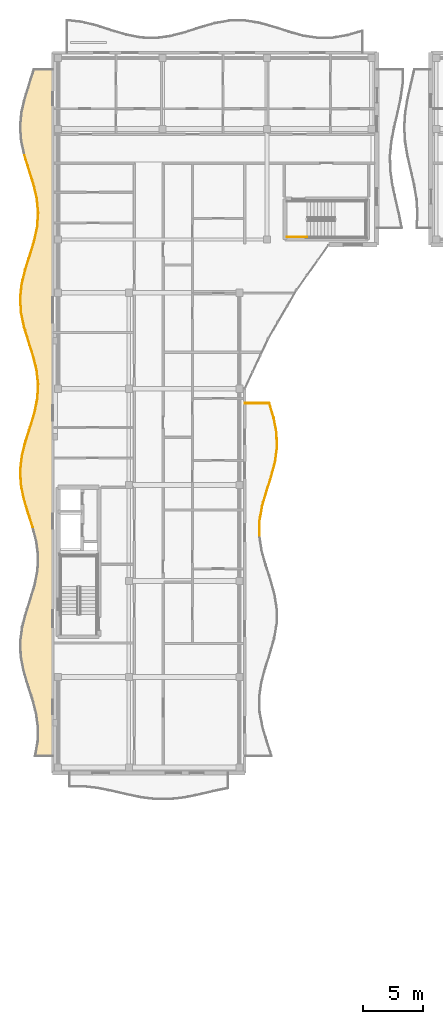
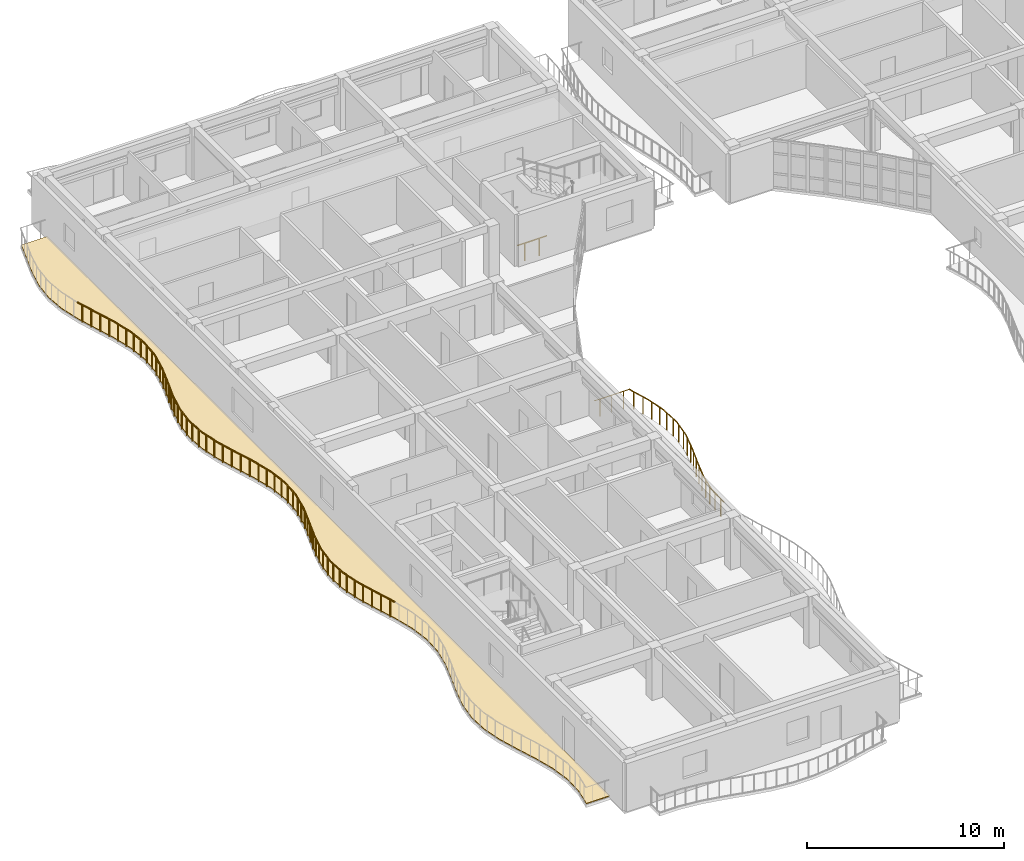
# One storey, part 63 of 79: 37 railings, 1 covering.
"""IFC4 building model written with IfcOpenShell, lengths in metres."""

from ifc_helpers import new_model, si_unit, direction, frame, origin, origin_2d, place, context, subcontext, project, spatial, polyline, circle, outline, extrude, material, layer, layer_set, type_object, element, save


model = new_model("IFC4")

# Units and contexts
model_context = context("Model", 3, precision=1e-05, world=origin(), true_north=direction((0.0, 1.0)))
body_context = subcontext(model_context, "Body", "Model", "MODEL_VIEW")
ifc_project = project(units=[si_unit("LENGTHUNIT", "METRE"), si_unit("AREAUNIT", "SQUARE_METRE"), si_unit("VOLUMEUNIT", "CUBIC_METRE"), si_unit("PLANEANGLEUNIT", "RADIAN"), si_unit("MASSUNIT", "GRAM", prefix="KILO")], contexts=[model_context])

# Site, building, storey
site_placement = place(None, origin())
site = spatial("IfcSite", under=ifc_project, at=site_placement, CompositionType="ELEMENT")
building_placement = place(site_placement, origin())
building = spatial("IfcBuilding", under=site, at=building_placement, Name="Keldmere Railside Commons", CompositionType="ELEMENT")
storey_placement = place(building_placement, frame((0.0, 0.0, 10.56005859375)))
storey = spatial("IfcBuildingStorey", under=building, at=storey_placement, Name="L03", CompositionType="ELEMENT", Elevation=10.56005859375)

# Railings
ifc_material_1 = material(Name="Steel F-24 (S235)", Category="steel")
railing_type_1 = type_object("IfcRailingType", Name="Balcony & Terrace Steel Balustrade 1100", PredefinedType="BALUSTRADE", material=ifc_material_1)
railing_1_placement = place(storey_placement, frame((25.219482421875, 75.77490234375, 0.0)))
element("IfcRailing", 1, at=railing_1_placement, inside=storey, type_object=railing_type_1, Name="GR-1 GRD-L03-0293", PredefinedType="BALUSTRADE", context=body_context, shape_type="SweptSolid", body=[
    extrude(circle(Radius=0.02392578125, at=origin_2d()), frame((0.0, 0.0, 1.076171875), z_axis=(0.012753048087, 0.999918676575, 0.0), x_axis=(-0.999918676575, 0.012753048087, 0.0)), (0.0, 0.0, 1.0), 1.22509765625),
    extrude(circle(Radius=0.02099609375, at=origin_2d()), frame((0.00390625, 0.30615234375, 0.0)), (0.0, 0.0, 1.0), 1.048095703125),
    extrude(circle(Radius=0.02099609375, at=origin_2d()), frame((0.01171875, 0.9189453125, 0.0)), (0.0, 0.0, 1.0), 1.048095703125),
])
railing_2_placement = place(storey_placement, frame((25.235107421875, 77.0, 0.0)))
element("IfcRailing", 2, at=railing_2_placement, inside=storey, type_object=railing_type_1, Name="GR-1 GRD-L03-0294", PredefinedType="BALUSTRADE", context=body_context, shape_type="SweptSolid", body=[
    extrude(circle(Radius=0.02392578125, at=origin_2d()), frame((0.0, 0.0, 1.076171875), z_axis=(0.172732661453, 0.984968744513, 0.0), x_axis=(-0.984968744513, 0.172732661453, 0.0)), (0.0, 0.0, 1.0), 1.243896484375),
    extrude(circle(Radius=0.02099609375, at=origin_2d()), frame((0.0537109375, 0.30615234375, 0.0)), (0.0, 0.0, 1.0), 1.048095703125),
    extrude(circle(Radius=0.02099609375, at=origin_2d()), frame((0.1611328125, 0.9189453125, 0.0)), (0.0, 0.0, 1.0), 1.048095703125),
])
railing_3_placement = place(storey_placement, frame((25.449951171875, 78.22509765625, 0.0)))
element("IfcRailing", 3, at=railing_3_placement, inside=storey, type_object=railing_type_1, Name="GR-1 GRD-L03-0295", PredefinedType="BALUSTRADE", context=body_context, shape_type="SweptSolid", body=[
    extrude(circle(Radius=0.02392578125, at=origin_2d()), frame((0.0, 0.0, 1.076171875), z_axis=(0.278006937297, 0.960579066405, 0.0), x_axis=(-0.960579066405, 0.278006937297, 0.0)), (0.0, 0.0, 1.0), 1.275146484375),
    extrude(circle(Radius=0.02099609375, at=origin_2d()), frame((0.088623046875, 0.30615234375, 0.0)), (0.0, 0.0, 1.0), 1.048095703125),
    extrude(circle(Radius=0.02099609375, at=origin_2d()), frame((0.265869140625, 0.918701171875, 0.0)), (0.0, 0.0, 1.0), 1.048095703125),
])
railing_4_placement = place(storey_placement, frame((25.804443359375, 79.449951171875, 0.0)))
element("IfcRailing", 4, at=railing_4_placement, inside=storey, type_object=railing_type_1, Name="GR-1 GRD-L03-0296", PredefinedType="BALUSTRADE", context=body_context, shape_type="SweptSolid", body=[
    extrude(circle(Radius=0.02392578125, at=origin_2d()), frame((0.0, 0.0, 1.076171875), z_axis=(0.307052651276, 0.951692528785, 0.0), x_axis=(-0.951692528785, 0.307052651276, 0.0)), (0.0, 0.0, 1.0), 1.287353515625),
    extrude(circle(Radius=0.02099609375, at=origin_2d()), frame((0.098876953125, 0.30615234375, 0.0)), (0.0, 0.0, 1.0), 1.048095703125),
    extrude(circle(Radius=0.02099609375, at=origin_2d()), frame((0.29638671875, 0.9189453125, 0.0)), (0.0, 0.0, 1.0), 1.048095703125),
])
railing_5_placement = place(storey_placement, frame((26.19970703125, 80.675048828125, 0.0)))
element("IfcRailing", 5, at=railing_5_placement, inside=storey, type_object=railing_type_1, Name="GR-1 GRD-L03-0297", PredefinedType="BALUSTRADE", context=body_context, shape_type="SweptSolid", body=[
    extrude(circle(Radius=0.02392578125, at=origin_2d()), frame((0.0, 0.0, 1.076171875), z_axis=(0.256787278094, 0.966467947637, 0.0), x_axis=(-0.966467947637, 0.256787278094, 0.0)), (0.0, 0.0, 1.0), 1.267333984375),
    extrude(circle(Radius=0.02099609375, at=origin_2d()), frame((0.081298828125, 0.30615234375, 0.0)), (0.0, 0.0, 1.0), 1.048095703125),
    extrude(circle(Radius=0.02099609375, at=origin_2d()), frame((0.244140625, 0.918701171875, 0.0)), (0.0, 0.0, 1.0), 1.048095703125),
])
railing_6_placement = place(storey_placement, frame((26.525146484375, 81.89990234375, 0.0)))
element("IfcRailing", 6, at=railing_6_placement, inside=storey, type_object=railing_type_1, Name="GR-1 GRD-L03-0298", PredefinedType="BALUSTRADE", context=body_context, shape_type="SweptSolid", body=[
    extrude(circle(Radius=0.02392578125, at=origin_2d()), frame((0.0, 0.0, 1.076171875), z_axis=(0.13350900315, 0.991047600309, 0.0), x_axis=(-0.991047600309, 0.13350900315, 0.0)), (0.0, 0.0, 1.0), 1.236083984375),
    extrude(circle(Radius=0.02099609375, at=origin_2d()), frame((0.041259765625, 0.30615234375, 0.0)), (0.0, 0.0, 1.0), 1.048095703125),
    extrude(circle(Radius=0.02099609375, at=origin_2d()), frame((0.123779296875, 0.9189453125, 0.0)), (0.0, 0.0, 1.0), 1.048095703125),
])
railing_7_placement = place(storey_placement, frame((26.690185546875, 83.125, 0.0)))
element("IfcRailing", 7, at=railing_7_placement, inside=storey, type_object=railing_type_1, Name="GR-1 GRD-L03-0299", PredefinedType="BALUSTRADE", context=body_context, shape_type="SweptSolid", body=[
    extrude(circle(Radius=0.02392578125, at=origin_2d()), frame((0.0, 0.0, 1.076171875), z_axis=(-0.033858614501, 0.999426632737, 0.0), x_axis=(-0.999426632737, -0.033858614501, 0.0)), (0.0, 0.0, 1.0), 1.225830078125),
    extrude(circle(Radius=0.02099609375, at=origin_2d()), frame((-0.01025390625, 0.30615234375, 0.0)), (0.0, 0.0, 1.0), 1.048095703125),
    extrude(circle(Radius=0.02099609375, at=origin_2d()), frame((-0.03125, 0.9189453125, 0.0)), (0.0, 0.0, 1.0), 1.048095703125),
])
railing_8_placement = place(storey_placement, frame((26.648681640625, 84.35009765625, 0.0)))
element("IfcRailing", 8, at=railing_8_placement, inside=storey, type_object=railing_type_1, Name="GR-1 GRD-L03-0300", PredefinedType="BALUSTRADE", context=body_context, shape_type="SweptSolid", body=[
    extrude(circle(Radius=0.02392578125, at=origin_2d()), frame((0.0, 0.0, 1.076171875), z_axis=(-0.189449851563, 0.98189039803, 0.0), x_axis=(-0.98189039803, -0.189449851563, 0.0)), (0.0, 0.0, 1.0), 1.24755859375),
    extrude(circle(Radius=0.02099609375, at=origin_2d()), frame((-0.05908203125, 0.30615234375, 0.0)), (0.0, 0.0, 1.0), 1.048095703125),
    extrude(circle(Radius=0.02099609375, at=origin_2d()), frame((-0.17724609375, 0.918701171875, 0.0)), (0.0, 0.0, 1.0), 1.048095703125),
])
railing_9_placement = place(storey_placement, frame((26.412353515625, 85.574951171875, 0.0)))
element("IfcRailing", 9, at=railing_9_placement, inside=storey, type_object=railing_type_1, Name="GR-1 GRD-L03-0301", PredefinedType="BALUSTRADE", context=body_context, shape_type="SweptSolid", body=[
    extrude(circle(Radius=0.02392578125, at=origin_2d()), frame((0.0, 0.0, 1.076171875), z_axis=(-0.28570050941, 0.958318954692, 0.0), x_axis=(-0.958318954692, -0.28570050941, 0.0)), (0.0, 0.0, 1.0), 1.2783203125),
    extrude(circle(Radius=0.02099609375, at=origin_2d()), frame((-0.09130859375, 0.30615234375, 0.0)), (0.0, 0.0, 1.0), 1.048095703125),
    extrude(circle(Radius=0.02099609375, at=origin_2d()), frame((-0.27392578125, 0.9189453125, 0.0)), (0.0, 0.0, 1.0), 1.048095703125),
])
railing_10_placement = place(storey_placement, frame((26.047119140625, 86.800048828125, 0.0)))
element("IfcRailing", 10, at=railing_10_placement, inside=storey, type_object=railing_type_1, Name="GR-1 GRD-L03-0302", PredefinedType="BALUSTRADE", context=body_context, shape_type="SweptSolid", body=[
    extrude(circle(Radius=0.02392578125, at=origin_2d()), frame((0.0, 0.0, 1.076171875), z_axis=(-1.0, 0.0, 0.0), x_axis=(0.0, -1.0, 0.0)), (0.0, 0.0, 1.0), 2.047119140625),
    extrude(circle(Radius=0.02099609375, at=origin_2d()), frame((-0.34130859375, 0.0, 0.0)), (0.0, 0.0, 1.0), 1.048095703125),
    extrude(circle(Radius=0.02099609375, at=origin_2d()), frame((-1.0234375, 0.0, 0.0)), (0.0, 0.0, 1.0), 1.048095703125),
    extrude(circle(Radius=0.02099609375, at=origin_2d()), frame((-1.7060546875, 0.0, 0.0)), (0.0, 0.0, 1.0), 1.048095703125),
])
railing_11_placement = place(storey_placement, frame((6.340087890625, 76.466796875, 0.0)))
element("IfcRailing", 11, at=railing_11_placement, inside=storey, type_object=railing_type_1, Name="GR-1 GRD-L03-0320", PredefinedType="BALUSTRADE", context=body_context, shape_type="SweptSolid", body=[
    extrude(circle(Radius=0.02392578125, at=origin_2d()), frame((0.0, 0.0, 1.076171875), z_axis=(-0.305377480387, 0.952231376543, 0.0), x_axis=(-0.952231376543, -0.305377480387, 0.0)), (0.0, 0.0, 1.0), 1.251220703125),
    extrude(circle(Radius=0.02099609375, at=origin_2d()), frame((-0.095458984375, 0.2978515625, 0.0)), (0.0, 0.0, 1.0), 1.048095703125),
    extrude(circle(Radius=0.02099609375, at=origin_2d()), frame((-0.28662109375, 0.8935546875, 0.0)), (0.0, 0.0, 1.0), 1.048095703125),
])
railing_12_placement = place(storey_placement, frame((5.9580078125, 77.658203125, 0.0)))
element("IfcRailing", 12, at=railing_12_placement, inside=storey, type_object=railing_type_1, Name="GR-1 GRD-L03-0321", PredefinedType="BALUSTRADE", context=body_context, shape_type="SweptSolid", body=[
    extrude(circle(Radius=0.02392578125, at=origin_2d()), frame((0.0, 0.0, 1.076171875), z_axis=(-0.287419881468, 0.957804683501, 0.0), x_axis=(-0.957804683501, -0.287419881468, 0.0)), (0.0, 0.0, 1.0), 1.244384765625),
    extrude(circle(Radius=0.02099609375, at=origin_2d()), frame((-0.08935546875, 0.2978515625, 0.0)), (0.0, 0.0, 1.0), 1.048095703125),
    extrude(circle(Radius=0.02099609375, at=origin_2d()), frame((-0.268310546875, 0.89404296875, 0.0)), (0.0, 0.0, 1.0), 1.048095703125),
])
railing_13_placement = place(storey_placement, frame((5.600341796875, 78.85009765625, 0.0)))
element("IfcRailing", 13, at=railing_13_placement, inside=storey, type_object=railing_type_1, Name="GR-1 GRD-L03-0322", PredefinedType="BALUSTRADE", context=body_context, shape_type="SweptSolid", body=[
    extrude(circle(Radius=0.02392578125, at=origin_2d()), frame((0.0, 0.0, 1.076171875), z_axis=(-0.196463805335, 0.980511077547, 0.0), x_axis=(-0.980511077547, -0.196463805335, 0.0)), (0.0, 0.0, 1.0), 1.21533203125),
    extrude(circle(Radius=0.02099609375, at=origin_2d()), frame((-0.0595703125, 0.2978515625, 0.0)), (0.0, 0.0, 1.0), 1.048095703125),
    extrude(circle(Radius=0.02099609375, at=origin_2d()), frame((-0.17919921875, 0.893798828125, 0.0)), (0.0, 0.0, 1.0), 1.048095703125),
])
railing_14_placement = place(storey_placement, frame((5.361572265625, 80.041748046875, 0.0)))
element("IfcRailing", 14, at=railing_14_placement, inside=storey, type_object=railing_type_1, Name="GR-1 GRD-L03-0323", PredefinedType="BALUSTRADE", context=body_context, shape_type="SweptSolid", body=[
    extrude(circle(Radius=0.02392578125, at=origin_2d()), frame((0.0, 0.0, 1.076171875), z_axis=(-0.047681823391, 0.998862574991, 0.0), x_axis=(-0.998862574991, -0.047681823391, 0.0)), (0.0, 0.0, 1.0), 1.193115234375),
    extrude(circle(Radius=0.02099609375, at=origin_2d()), frame((-0.01416015625, 0.2978515625, 0.0)), (0.0, 0.0, 1.0), 1.048095703125),
    extrude(circle(Radius=0.02099609375, at=origin_2d()), frame((-0.042724609375, 0.893798828125, 0.0)), (0.0, 0.0, 1.0), 1.048095703125),
])
railing_15_placement = place(storey_placement, frame((5.3046875, 81.2333984375, 0.0)))
element("IfcRailing", 15, at=railing_15_placement, inside=storey, type_object=railing_type_1, Name="GR-1 GRD-L03-0324", PredefinedType="BALUSTRADE", context=body_context, shape_type="SweptSolid", body=[
    extrude(circle(Radius=0.02392578125, at=origin_2d()), frame((0.0, 0.0, 1.076171875), z_axis=(0.116794024821, 0.993156158802, 0.0), x_axis=(-0.993156158802, 0.116794024821, 0.0)), (0.0, 0.0, 1.0), 1.199951171875),
    extrude(circle(Radius=0.02099609375, at=origin_2d()), frame((0.03515625, 0.2978515625, 0.0)), (0.0, 0.0, 1.0), 1.048095703125),
    extrude(circle(Radius=0.02099609375, at=origin_2d()), frame((0.10498046875, 0.893798828125, 0.0)), (0.0, 0.0, 1.0), 1.048095703125),
])
railing_16_placement = place(storey_placement, frame((5.44482421875, 82.425048828125, 0.0)))
element("IfcRailing", 16, at=railing_16_placement, inside=storey, type_object=railing_type_1, Name="GR-1 GRD-L03-0325", PredefinedType="BALUSTRADE", context=body_context, shape_type="SweptSolid", body=[
    extrude(circle(Radius=0.02392578125, at=origin_2d()), frame((0.0, 0.0, 1.076171875), z_axis=(0.244358242525, 0.969685025825, 0.0), x_axis=(-0.969685025825, 0.244358242525, 0.0)), (0.0, 0.0, 1.0), 1.22900390625),
    extrude(circle(Radius=0.02099609375, at=origin_2d()), frame((0.0751953125, 0.2978515625, 0.0)), (0.0, 0.0, 1.0), 1.048095703125),
    extrude(circle(Radius=0.02099609375, at=origin_2d()), frame((0.22509765625, 0.893798828125, 0.0)), (0.0, 0.0, 1.0), 1.048095703125),
])
railing_17_placement = place(storey_placement, frame((5.7451171875, 83.61669921875, 0.0)))
element("IfcRailing", 17, at=railing_17_placement, inside=storey, type_object=railing_type_1, Name="GR-1 GRD-L03-0326", PredefinedType="BALUSTRADE", context=body_context, shape_type="SweptSolid", body=[
    extrude(circle(Radius=0.02392578125, at=origin_2d()), frame((0.0, 0.0, 1.076171875), z_axis=(0.304258741666, 0.952589427886, 0.0), x_axis=(-0.952589427886, 0.304258741666, 0.0)), (0.0, 0.0, 1.0), 1.2509765625),
    extrude(circle(Radius=0.02099609375, at=origin_2d()), frame((0.09521484375, 0.2978515625, 0.0)), (0.0, 0.0, 1.0), 1.048095703125),
    extrude(circle(Radius=0.02099609375, at=origin_2d()), frame((0.285400390625, 0.893798828125, 0.0)), (0.0, 0.0, 1.0), 1.048095703125),
])
railing_18_placement = place(storey_placement, frame((6.125732421875, 84.808349609375, 0.0)))
element("IfcRailing", 18, at=railing_18_placement, inside=storey, type_object=railing_type_1, Name="GR-1 GRD-L03-0327", PredefinedType="BALUSTRADE", context=body_context, shape_type="SweptSolid", body=[
    extrude(circle(Radius=0.02392578125, at=origin_2d()), frame((0.0, 0.0, 1.076171875), z_axis=(0.289811470582, 0.95708375366, 0.0), x_axis=(-0.95708375366, 0.289811470582, 0.0)), (0.0, 0.0, 1.0), 1.2451171875),
    extrude(circle(Radius=0.02099609375, at=origin_2d()), frame((0.09033203125, 0.2978515625, 0.0)), (0.0, 0.0, 1.0), 1.048095703125),
    extrude(circle(Radius=0.02099609375, at=origin_2d()), frame((0.2705078125, 0.893798828125, 0.0)), (0.0, 0.0, 1.0), 1.048095703125),
])
railing_19_placement = place(storey_placement, frame((6.486572265625, 86.0, 0.0)))
element("IfcRailing", 19, at=railing_19_placement, inside=storey, type_object=railing_type_1, Name="GR-1 GRD-L03-0328", PredefinedType="BALUSTRADE", context=body_context, shape_type="SweptSolid", body=[
    extrude(circle(Radius=0.02392578125, at=origin_2d()), frame((0.0, 0.0, 1.076171875), z_axis=(0.201477389529, 0.979493165626, 0.0), x_axis=(-0.979493165626, 0.201477389529, 0.0)), (0.0, 0.0, 1.0), 1.216552734375),
    extrude(circle(Radius=0.02099609375, at=origin_2d()), frame((0.061279296875, 0.2978515625, 0.0)), (0.0, 0.0, 1.0), 1.048095703125),
    extrude(circle(Radius=0.02099609375, at=origin_2d()), frame((0.183837890625, 0.893798828125, 0.0)), (0.0, 0.0, 1.0), 1.048095703125),
])
railing_20_placement = place(storey_placement, frame((6.731689453125, 87.191650390625, 0.0)))
element("IfcRailing", 20, at=railing_20_placement, inside=storey, type_object=railing_type_1, Name="GR-1 GRD-L03-0329", PredefinedType="BALUSTRADE", context=body_context, shape_type="SweptSolid", body=[
    extrude(circle(Radius=0.02392578125, at=origin_2d()), frame((0.0, 0.0, 1.076171875), z_axis=(0.054620246349, 0.998507200119, 0.0), x_axis=(-0.998507200119, 0.054620246349, 0.0)), (0.0, 0.0, 1.0), 1.193359375),
    extrude(circle(Radius=0.02099609375, at=origin_2d()), frame((0.016357421875, 0.2978515625, 0.0)), (0.0, 0.0, 1.0), 1.048095703125),
    extrude(circle(Radius=0.02099609375, at=origin_2d()), frame((0.048828125, 0.893798828125, 0.0)), (0.0, 0.0, 1.0), 1.048095703125),
])
railing_21_placement = place(storey_placement, frame((6.796875, 88.38330078125, 0.0)))
element("IfcRailing", 21, at=railing_21_placement, inside=storey, type_object=railing_type_1, Name="GR-1 GRD-L03-0330", PredefinedType="BALUSTRADE", context=body_context, shape_type="SweptSolid", body=[
    extrude(circle(Radius=0.02392578125, at=origin_2d()), frame((0.0, 0.0, 1.076171875), z_axis=(-0.110364478732, 0.993891182089, 0.0), x_axis=(-0.993891182089, -0.110364478732, 0.0)), (0.0, 0.0, 1.0), 1.198974609375),
    extrude(circle(Radius=0.02099609375, at=origin_2d()), frame((-0.033203125, 0.2978515625, 0.0)), (0.0, 0.0, 1.0), 1.048095703125),
    extrude(circle(Radius=0.02099609375, at=origin_2d()), frame((-0.09912109375, 0.893798828125, 0.0)), (0.0, 0.0, 1.0), 1.048095703125),
])
railing_22_placement = place(storey_placement, frame((6.66455078125, 89.574951171875, 0.0)))
element("IfcRailing", 22, at=railing_22_placement, inside=storey, type_object=railing_type_1, Name="GR-1 GRD-L03-0331", PredefinedType="BALUSTRADE", context=body_context, shape_type="SweptSolid", body=[
    extrude(circle(Radius=0.02392578125, at=origin_2d()), frame((0.0, 0.0, 1.076171875), z_axis=(-0.240054615153, 0.970759384062, 0.0), x_axis=(-0.970759384062, -0.240054615153, 0.0)), (0.0, 0.0, 1.0), 1.2275390625),
    extrude(circle(Radius=0.02099609375, at=origin_2d()), frame((-0.07373046875, 0.2978515625, 0.0)), (0.0, 0.0, 1.0), 1.048095703125),
    extrude(circle(Radius=0.02099609375, at=origin_2d()), frame((-0.220947265625, 0.893798828125, 0.0)), (0.0, 0.0, 1.0), 1.048095703125),
])
railing_23_placement = place(storey_placement, frame((6.369873046875, 90.7666015625, 0.0)))
element("IfcRailing", 23, at=railing_23_placement, inside=storey, type_object=railing_type_1, Name="GR-1 GRD-L03-0332", PredefinedType="BALUSTRADE", context=body_context, shape_type="SweptSolid", body=[
    extrude(circle(Radius=0.02392578125, at=origin_2d()), frame((0.0, 0.0, 1.076171875), z_axis=(-0.303372868132, 0.95287192365, 0.0), x_axis=(-0.95287192365, -0.303372868132, 0.0)), (0.0, 0.0, 1.0), 1.25048828125),
    extrude(circle(Radius=0.02099609375, at=origin_2d()), frame((-0.0947265625, 0.2978515625, 0.0)), (0.0, 0.0, 1.0), 1.048095703125),
    extrude(circle(Radius=0.02099609375, at=origin_2d()), frame((-0.28466796875, 0.893798828125, 0.0)), (0.0, 0.0, 1.0), 1.048095703125),
])
railing_24_placement = place(storey_placement, frame((5.990478515625, 91.958251953125, 0.0)))
element("IfcRailing", 24, at=railing_24_placement, inside=storey, type_object=railing_type_1, Name="GR-1 GRD-L03-0333", PredefinedType="BALUSTRADE", context=body_context, shape_type="SweptSolid", body=[
    extrude(circle(Radius=0.02392578125, at=origin_2d()), frame((0.0, 0.0, 1.076171875), z_axis=(-0.291785373178, 0.956483818995, 0.0), x_axis=(-0.956483818995, -0.291785373178, 0.0)), (0.0, 0.0, 1.0), 1.245849609375),
    extrude(circle(Radius=0.02099609375, at=origin_2d()), frame((-0.0908203125, 0.2978515625, 0.0)), (0.0, 0.0, 1.0), 1.048095703125),
    extrude(circle(Radius=0.02099609375, at=origin_2d()), frame((-0.272705078125, 0.893798828125, 0.0)), (0.0, 0.0, 1.0), 1.048095703125),
])
railing_25_placement = place(storey_placement, frame((5.626953125, 93.14990234375, 0.0)))
element("IfcRailing", 25, at=railing_25_placement, inside=storey, type_object=railing_type_1, Name="GR-1 GRD-L03-0334", PredefinedType="BALUSTRADE", context=body_context, shape_type="SweptSolid", body=[
    extrude(circle(Radius=0.02392578125, at=origin_2d()), frame((0.0, 0.0, 1.076171875), z_axis=(-0.206626566276, 0.978419880271, 0.0), x_axis=(-0.978419880271, -0.206626566276, 0.0)), (0.0, 0.0, 1.0), 1.21826171875),
    extrude(circle(Radius=0.02099609375, at=origin_2d()), frame((-0.06298828125, 0.2978515625, 0.0)), (0.0, 0.0, 1.0), 1.048095703125),
    extrude(circle(Radius=0.02099609375, at=origin_2d()), frame((-0.188720703125, 0.89404296875, 0.0)), (0.0, 0.0, 1.0), 1.048095703125),
])
railing_26_placement = place(storey_placement, frame((5.375244140625, 94.341796875, 0.0)))
element("IfcRailing", 26, at=railing_26_placement, inside=storey, type_object=railing_type_1, Name="GR-1 GRD-L03-0335", PredefinedType="BALUSTRADE", context=body_context, shape_type="SweptSolid", body=[
    extrude(circle(Radius=0.02392578125, at=origin_2d()), frame((0.0, 0.0, 1.076171875), z_axis=(-0.061563331337, 0.998103179153, 0.0), x_axis=(-0.998103179153, -0.061563331337, 0.0)), (0.0, 0.0, 1.0), 1.193603515625),
    extrude(circle(Radius=0.02099609375, at=origin_2d()), frame((-0.018310546875, 0.2978515625, 0.0)), (0.0, 0.0, 1.0), 1.048095703125),
    extrude(circle(Radius=0.02099609375, at=origin_2d()), frame((-0.05517578125, 0.8935546875, 0.0)), (0.0, 0.0, 1.0), 1.048095703125),
])
railing_27_placement = place(storey_placement, frame((5.3017578125, 95.533203125, 0.0)))
element("IfcRailing", 27, at=railing_27_placement, inside=storey, type_object=railing_type_1, Name="GR-1 GRD-L03-0336", PredefinedType="BALUSTRADE", context=body_context, shape_type="SweptSolid", body=[
    extrude(circle(Radius=0.02392578125, at=origin_2d()), frame((0.0, 0.0, 1.076171875), z_axis=(0.103698457641, 0.994608782327, 0.0), x_axis=(-0.994608782327, 0.103698457641, 0.0)), (0.0, 0.0, 1.0), 1.1982421875),
    extrude(circle(Radius=0.02099609375, at=origin_2d()), frame((0.031005859375, 0.2978515625, 0.0)), (0.0, 0.0, 1.0), 1.048095703125),
    extrude(circle(Radius=0.02099609375, at=origin_2d()), frame((0.09326171875, 0.89404296875, 0.0)), (0.0, 0.0, 1.0), 1.048095703125),
])
railing_28_placement = place(storey_placement, frame((5.426025390625, 96.72509765625, 0.0)))
element("IfcRailing", 28, at=railing_28_placement, inside=storey, type_object=railing_type_1, Name="GR-1 GRD-L03-0337", PredefinedType="BALUSTRADE", context=body_context, shape_type="SweptSolid", body=[
    extrude(circle(Radius=0.02392578125, at=origin_2d()), frame((0.0, 0.0, 1.076171875), z_axis=(0.235924811517, 0.971771312249, 0.0), x_axis=(-0.971771312249, 0.235924811517, 0.0)), (0.0, 0.0, 1.0), 1.226318359375),
    extrude(circle(Radius=0.02099609375, at=origin_2d()), frame((0.072265625, 0.2978515625, 0.0)), (0.0, 0.0, 1.0), 1.048095703125),
    extrude(circle(Radius=0.02099609375, at=origin_2d()), frame((0.217041015625, 0.893798828125, 0.0)), (0.0, 0.0, 1.0), 1.048095703125),
])
railing_29_placement = place(storey_placement, frame((5.71533203125, 97.916748046875, 0.0)))
element("IfcRailing", 29, at=railing_29_placement, inside=storey, type_object=railing_type_1, Name="GR-1 GRD-L03-0338", PredefinedType="BALUSTRADE", context=body_context, shape_type="SweptSolid", body=[
    extrude(circle(Radius=0.02392578125, at=origin_2d()), frame((0.0, 0.0, 1.076171875), z_axis=(0.302131322773, 0.953266313157, 0.0), x_axis=(-0.953266313157, 0.302131322773, 0.0)), (0.0, 0.0, 1.0), 1.25),
    extrude(circle(Radius=0.02099609375, at=origin_2d()), frame((0.094482421875, 0.2978515625, 0.0)), (0.0, 0.0, 1.0), 1.048095703125),
    extrude(circle(Radius=0.02099609375, at=origin_2d()), frame((0.283203125, 0.893798828125, 0.0)), (0.0, 0.0, 1.0), 1.048095703125),
])
railing_30_placement = place(storey_placement, frame((6.093017578125, 99.1083984375, 0.0)))
element("IfcRailing", 30, at=railing_30_placement, inside=storey, type_object=railing_type_1, Name="GR-1 GRD-L03-0339", PredefinedType="BALUSTRADE", context=body_context, shape_type="SweptSolid", body=[
    extrude(circle(Radius=0.02392578125, at=origin_2d()), frame((0.0, 0.0, 1.076171875), z_axis=(0.293934477124, 0.955825571513, 0.0), x_axis=(-0.955825571513, 0.293934477124, 0.0)), (0.0, 0.0, 1.0), 1.246826171875),
    extrude(circle(Radius=0.02099609375, at=origin_2d()), frame((0.091552734375, 0.2978515625, 0.0)), (0.0, 0.0, 1.0), 1.048095703125),
    extrude(circle(Radius=0.02099609375, at=origin_2d()), frame((0.27490234375, 0.893798828125, 0.0)), (0.0, 0.0, 1.0), 1.048095703125),
])
railing_31_placement = place(storey_placement, frame((6.45947265625, 100.300048828125, 0.0)))
element("IfcRailing", 31, at=railing_31_placement, inside=storey, type_object=railing_type_1, Name="GR-1 GRD-L03-0340", PredefinedType="BALUSTRADE", context=body_context, shape_type="SweptSolid", body=[
    extrude(circle(Radius=0.02392578125, at=origin_2d()), frame((0.0, 0.0, 1.076171875), z_axis=(0.211648154787, 0.977345925748, 0.0), x_axis=(-0.977345925748, 0.211648154787, 0.0)), (0.0, 0.0, 1.0), 1.21923828125),
    extrude(circle(Radius=0.02099609375, at=origin_2d()), frame((0.064453125, 0.2978515625, 0.0)), (0.0, 0.0, 1.0), 1.048095703125),
    extrude(circle(Radius=0.02099609375, at=origin_2d()), frame((0.193603515625, 0.893798828125, 0.0)), (0.0, 0.0, 1.0), 1.048095703125),
])
railing_32_placement = place(storey_placement, frame((6.717529296875, 101.49169921875, 0.0)))
element("IfcRailing", 32, at=railing_32_placement, inside=storey, type_object=railing_type_1, Name="GR-1 GRD-L03-0341", PredefinedType="BALUSTRADE", context=body_context, shape_type="SweptSolid", body=[
    extrude(circle(Radius=0.02392578125, at=origin_2d()), frame((0.0, 0.0, 1.076171875), z_axis=(0.068472394759, 0.9976530114, 0.0), x_axis=(-0.9976530114, 0.068472394759, 0.0)), (0.0, 0.0, 1.0), 1.1943359375),
    extrude(circle(Radius=0.02099609375, at=origin_2d()), frame((0.0205078125, 0.2978515625, 0.0)), (0.0, 0.0, 1.0), 1.048095703125),
    extrude(circle(Radius=0.02099609375, at=origin_2d()), frame((0.061279296875, 0.893798828125, 0.0)), (0.0, 0.0, 1.0), 1.048095703125),
])
railing_33_placement = place(storey_placement, frame((6.79931640625, 102.683349609375, 0.0)))
element("IfcRailing", 33, at=railing_33_placement, inside=storey, type_object=railing_type_1, Name="GR-1 GRD-L03-0342", PredefinedType="BALUSTRADE", context=body_context, shape_type="SweptSolid", body=[
    extrude(circle(Radius=0.02392578125, at=origin_2d()), frame((0.0, 0.0, 1.076171875), z_axis=(-0.097262534019, 0.99525876006, 0.0), x_axis=(-0.99525876006, -0.097262534019, 0.0)), (0.0, 0.0, 1.0), 1.197265625),
    extrude(circle(Radius=0.02099609375, at=origin_2d()), frame((-0.029052734375, 0.2978515625, 0.0)), (0.0, 0.0, 1.0), 1.048095703125),
    extrude(circle(Radius=0.02099609375, at=origin_2d()), frame((-0.08740234375, 0.893798828125, 0.0)), (0.0, 0.0, 1.0), 1.048095703125),
])
railing_34_placement = place(storey_placement, frame((6.682861328125, 103.875, 0.0)))
element("IfcRailing", 34, at=railing_34_placement, inside=storey, type_object=railing_type_1, Name="GR-1 GRD-L03-0343", PredefinedType="BALUSTRADE", context=body_context, shape_type="SweptSolid", body=[
    extrude(circle(Radius=0.02392578125, at=origin_2d()), frame((0.0, 0.0, 1.076171875), z_axis=(-0.231593582413, 0.972812629742, 0.0), x_axis=(-0.972812629742, -0.231593582413, 0.0)), (0.0, 0.0, 1.0), 1.224853515625),
    extrude(circle(Radius=0.02099609375, at=origin_2d()), frame((-0.07080078125, 0.2978515625, 0.0)), (0.0, 0.0, 1.0), 1.048095703125),
    extrude(circle(Radius=0.02099609375, at=origin_2d()), frame((-0.212890625, 0.893798828125, 0.0)), (0.0, 0.0, 1.0), 1.048095703125),
])
railing_35_placement = place(storey_placement, frame((6.399169921875, 105.066650390625, 0.0)))
element("IfcRailing", 35, at=railing_35_placement, inside=storey, type_object=railing_type_1, Name="GR-1 GRD-L03-0344", PredefinedType="BALUSTRADE", context=body_context, shape_type="SweptSolid", body=[
    extrude(circle(Radius=0.02392578125, at=origin_2d()), frame((0.0, 0.0, 1.076171875), z_axis=(-0.300888238013, 0.953659408922, 0.0), x_axis=(-0.953659408922, -0.300888238013, 0.0)), (0.0, 0.0, 1.0), 1.24951171875),
    extrude(circle(Radius=0.02099609375, at=origin_2d()), frame((-0.093994140625, 0.2978515625, 0.0)), (0.0, 0.0, 1.0), 1.048095703125),
    extrude(circle(Radius=0.02099609375, at=origin_2d()), frame((-0.281982421875, 0.893798828125, 0.0)), (0.0, 0.0, 1.0), 1.048095703125),
])
railing_36_placement = place(storey_placement, frame((6.023193359375, 106.25830078125, 0.0)))
element("IfcRailing", 36, at=railing_36_placement, inside=storey, type_object=railing_type_1, Name="GR-1 GRD-L03-0345", PredefinedType="BALUSTRADE", context=body_context, shape_type="SweptSolid", body=[
    extrude(circle(Radius=0.02392578125, at=origin_2d()), frame((0.0, 0.0, 1.076171875), z_axis=(-0.295721999654, 0.955274043885, 0.0), x_axis=(-0.955274043885, -0.295721999654, 0.0)), (0.0, 0.0, 1.0), 1.24755859375),
    extrude(circle(Radius=0.02099609375, at=origin_2d()), frame((-0.09228515625, 0.2978515625, 0.0)), (0.0, 0.0, 1.0), 1.048095703125),
    extrude(circle(Radius=0.02099609375, at=origin_2d()), frame((-0.276611328125, 0.893798828125, 0.0)), (0.0, 0.0, 1.0), 1.048095703125),
])
railing_type_2 = type_object("IfcRailingType", Name="Stair Well Steel Guardrail 1100", PredefinedType="BALUSTRADE", material=ifc_material_1)
railing_37_placement = place(storey_placement, frame((27.5, 100.64990234375, 0.0)))
element("IfcRailing", 37, at=railing_37_placement, inside=storey, type_object=railing_type_2, Name="L03 ST-D2 stair guard 8", PredefinedType="BALUSTRADE", context=body_context, shape_type="SweptSolid", body=[
    extrude(circle(Radius=0.02392578125, at=origin_2d()), frame((0.0, 0.0, 1.076171875), z_axis=(1.0, 0.0, 0.0), x_axis=(0.0, 1.0, 0.0)), (0.0, 0.0, 1.0), 1.699951171875),
    extrude(circle(Radius=0.02099609375, at=origin_2d()), frame((0.425048828125, 0.0, 0.0)), (0.0, 0.0, 1.0), 1.048095703125),
    extrude(circle(Radius=0.02099609375, at=origin_2d()), frame((1.27490234375, 0.0, 0.0)), (0.0, 0.0, 1.0), 1.048095703125),
])

# Covering
ifc_material_2 = material(Name="White Precast Concrete C35/45", Category="concrete")
ifc_layer = layer(ifc_material_2, 0.044921875, Name="White Architectural Balcony Ribbon Cladding 45")
ifc_layer_set = layer_set([ifc_layer], Name="White Precast Concrete C35/45")
covering_type = type_object("IfcCoveringType", Name="White Architectural Balcony Ribbon Cladding 45", PredefinedType="FLOORING", material=ifc_layer_set)
covering_placement = place(storey_placement, origin())
element("IfcCovering", 38, at=covering_placement, inside=storey, type_object=covering_type, Name="CLG-WB D L03 CW White Balcony Ribbon", PredefinedType="FLOORING", context=body_context, shape_type="SweptSolid", body=[
    extrude(outline(polyline([(7.9599609375, 114.56005859375), (6.461181640625, 114.56005859375), (6.0986328125, 113.396484375), (6.0986328125, 113.396240234375), (5.72509765625, 112.206298828125), (5.4482421875, 111.0185546875), (5.34033203125, 109.8330078125), (5.4296875, 108.647705078125), (5.693115234375, 107.460205078125), (6.061279296875, 106.270263671875), (6.437255859375, 105.07861328125), (6.43798828125, 105.075927734375), (6.7216796875, 103.88427734375), (6.72265625, 103.87890625), (6.839111328125, 102.687255859375), (6.839111328125, 102.683837890625), (6.839111328125, 102.6806640625), (6.75732421875, 101.489013671875), (6.756591796875, 101.483154296875), (6.49853515625, 100.29150390625), (6.497802734375, 100.2880859375), (6.13134765625, 99.096435546875), (6.131103515625, 99.09619140625), (5.75390625, 97.906005859375), (5.465576171875, 96.71826171875), (5.341796875, 95.532470703125), (5.414794921875, 94.34716796875), (5.665771484375, 93.159912109375), (6.02880859375, 91.97021484375), (6.407958984375, 90.77880859375), (6.40869140625, 90.7763671875), (6.703369140625, 89.584716796875), (6.704345703125, 89.579345703125), (6.836669921875, 88.3876953125), (6.8369140625, 88.384521484375), (6.8369140625, 88.381103515625), (6.771728515625, 87.189453125), (6.771484375, 87.1865234375), (6.77099609375, 87.18359375), (6.525634765625, 85.991943359375), (6.52490234375, 85.98828125), (6.1640625, 84.796630859375), (6.163818359375, 84.796142578125), (5.783447265625, 83.605712890625), (5.484375, 82.417724609375), (5.3447265625, 81.23193359375), (5.4013671875, 80.046630859375), (5.63916015625, 78.859619140625), (5.99609375, 77.670166015625), (6.378173828125, 76.47900390625), (6.378662109375, 76.4765625), (6.68408203125, 75.284912109375), (6.68505859375, 75.27978515625), (6.8330078125, 74.088134765625), (6.833251953125, 74.0849609375), (6.833251953125, 74.081787109375), (6.784912109375, 72.89013671875), (6.784423828125, 72.886962890625), (6.7841796875, 72.884033203125), (6.552001953125, 71.6923828125), (6.551025390625, 71.688720703125), (6.196533203125, 70.496826171875), (6.1962890625, 70.49609375), (5.813720703125, 69.305419921875), (5.504150390625, 68.1171875), (5.34912109375, 66.931396484375), (5.38916015625, 65.74609375), (5.613525390625, 64.559326171875), (5.9638671875, 63.3701171875), (6.34765625, 62.178955078125), (6.34814453125, 62.177001953125), (6.66357421875, 60.985107421875), (6.664306640625, 60.98046875), (6.827880859375, 59.788818359375), (6.828125, 59.785400390625), (6.828125, 59.7822265625), (6.79638671875, 58.590576171875), (6.79638671875, 58.58740234375), (6.7958984375, 58.58447265625), (6.5859375, 57.43994140625), (7.9599609375, 57.43994140625), (7.9599609375, 114.56005859375)])), origin(), (0.0, 0.0, 1.0), 0.044921875),
])

save(model, "model.ifc")
